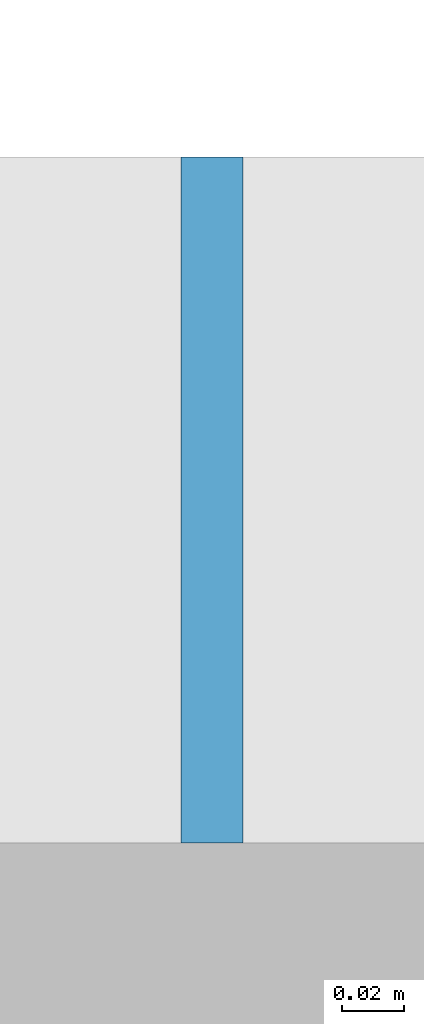
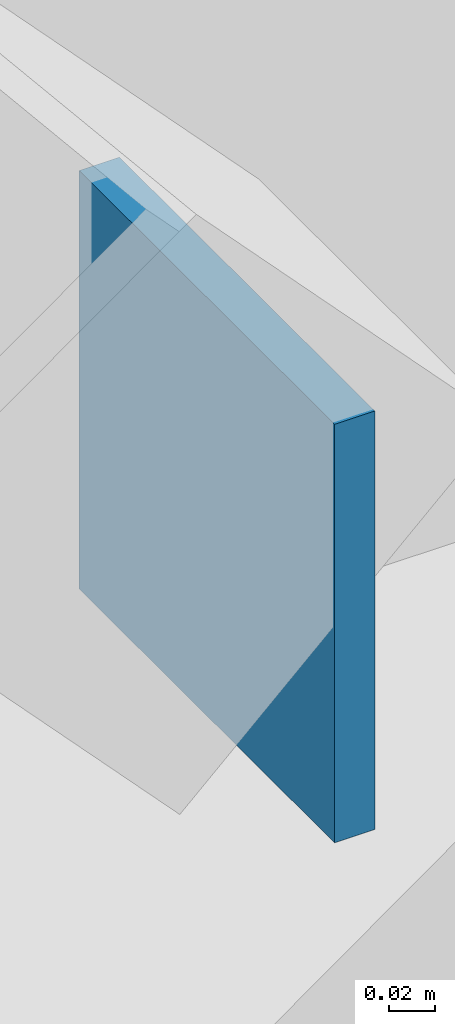
# One storey, part 88 of 102: 1 plate.
"""IFC4 building model written with IfcOpenShell, lengths in metres."""

from ifc_helpers import new_model, si_unit, derived_unit, direction, frame, origin, origin_2d, place, context, subcontext, project, spatial, rectangle, extrude, material, layer, layer_set, type_object, element, save


model = new_model("IFC4")

# Units and contexts
model_context = context("Model", 3, precision=1e-05, world=origin(), true_north=direction((0.0, 1.0)))
body_context = subcontext(model_context, "Body", "Model", "MODEL_VIEW")
ifc_project = project(units=[si_unit("LENGTHUNIT", "METRE"), si_unit("AREAUNIT", "SQUARE_METRE"), si_unit("VOLUMEUNIT", "CUBIC_METRE"), si_unit("PLANEANGLEUNIT", "RADIAN"), si_unit("MASSUNIT", "GRAM", prefix="KILO"), derived_unit("THERMALTRANSMITTANCEUNIT", [(si_unit("POWERUNIT", "WATT"), 1), (si_unit("LENGTHUNIT", "METRE"), -2), (si_unit("THERMODYNAMICTEMPERATUREUNIT", "KELVIN"), -1)])], contexts=[model_context])

# Site, building, storey
site_placement = place(None, origin())
site = spatial("IfcSite", under=ifc_project, at=site_placement, CompositionType="ELEMENT")
building_placement = place(site_placement, origin())
building = spatial("IfcBuilding", under=site, at=building_placement, Name="Nallur Shell Playhouse", CompositionType="ELEMENT")
storey_placement = place(building_placement, frame((0.0, 0.0, 15.0)))
storey = spatial("IfcBuildingStorey", under=building, at=storey_placement, Name="L04", CompositionType="ELEMENT", Elevation=15.0)

# Plate
ifc_material = material(Name="Steel E350", Category="steel")
ifc_layer = layer(ifc_material, 0.02001953125)
ifc_layer_set = layer_set([ifc_layer], Name="Steel E350")
plate_type = type_object("IfcPlateType", Name="PT-ENDCAP-20", PredefinedType="SHEET", material=ifc_layer_set)
plate_placement = place(storey_placement, frame((95.206787109375, 83.0, 0.03271484375), z_axis=(0.0, 0.0, 1.0), x_axis=(1.0, 0.0, 0.0)))
element("IfcPlate", 1, at=plate_placement, inside=storey, type_object=plate_type, Name="Hollow end cap EC-BR-FT-L04-032-0", PredefinedType="SHEET", context=body_context, shape_type="SweptSolid", body=[
    extrude(rectangle(XDim=0.02001953125, YDim=0.219970703125, at=origin_2d()), origin(), (0.0, 0.0, 1.0), 0.219970703125),
])

save(model, "model.ifc")
